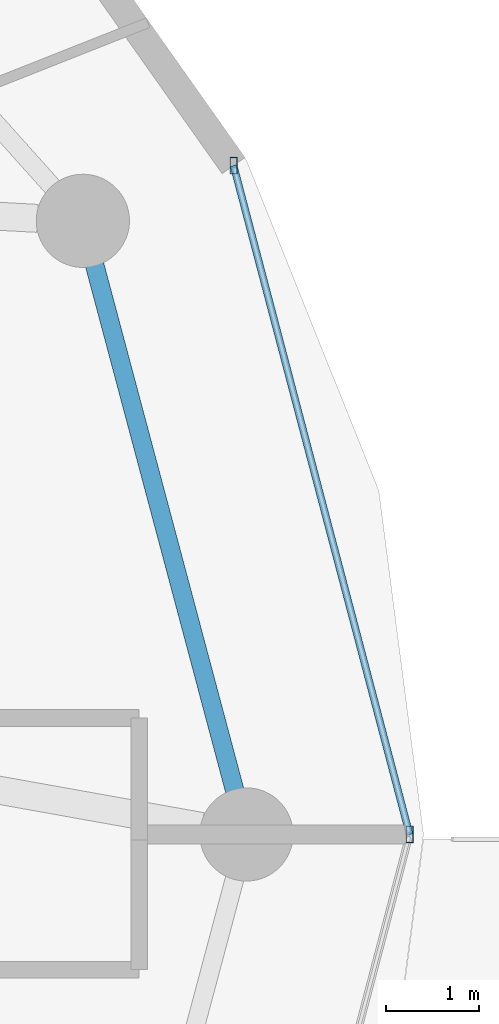
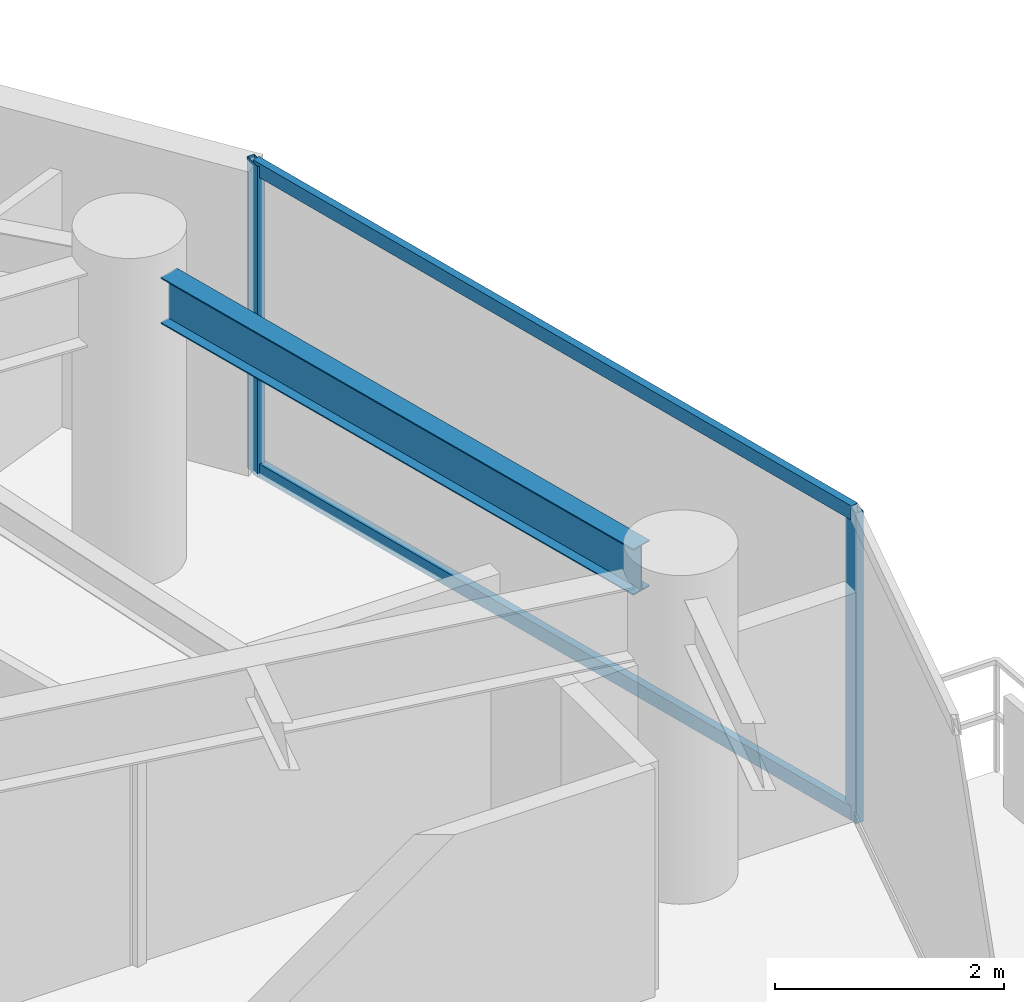
# One storey, part 16 of 31: 4 members, 1 beam, 1 element without a shape of its own.
"""IFC4 building model written with IfcOpenShell, lengths in metres."""

from ifc_helpers import new_model, si_unit, direction, frame, origin, origin_2d, place, context, subcontext, project, spatial, hollow_rectangle, i_section, extrude, material, material_profile, profile_set, type_object, element, aggregate, save


model = new_model("IFC4")

# Units and contexts
model_context = context("Model", 3, precision=1e-05, world=origin(), true_north=direction((0.0, 1.0)))
body_context = subcontext(model_context, "Body", "Model", "MODEL_VIEW")
ifc_project = project(units=[si_unit("LENGTHUNIT", "METRE"), si_unit("AREAUNIT", "SQUARE_METRE"), si_unit("VOLUMEUNIT", "CUBIC_METRE"), si_unit("PLANEANGLEUNIT", "RADIAN"), si_unit("MASSUNIT", "GRAM", prefix="KILO")], contexts=[model_context])

# Site, building, storey
site_placement = place(None, origin())
site = spatial("IfcSite", under=ifc_project, at=site_placement, CompositionType="ELEMENT")
building_placement = place(site_placement, origin())
building = spatial("IfcBuilding", under=site, at=building_placement, Name="Vorneva Point Tower", CompositionType="ELEMENT")
storey_placement = place(building_placement, frame((0.0, 0.0, 136.10009765625)))
storey = spatial("IfcBuildingStorey", under=building, at=storey_placement, Name="L36", CompositionType="ELEMENT", Elevation=136.10009765625)

# Beam
ifc_material_1 = material(Name="Steel S355", Category="steel")
ifc_material_profile_1 = material_profile(ifc_material_1, i_section(OverallWidth=0.199951171875, OverallDepth=0.491943359375, WebThickness=0.0087890625, FlangeThickness=0.011962890625, at=origin_2d()), Name="50B1")
ifc_profile_set_1 = profile_set([ifc_material_profile_1], Name="Steel S355")
beam_type = type_object("IfcBeamType", Name="BM-SPN-50B1", PredefinedType="SPANDREL", material=ifc_profile_set_1)
beam_placement = place(storey_placement, frame((60.925048828125, 26.468505859375, 2.993896484375), z_axis=(-0.257550804648, 0.966264758245, 0.0), x_axis=(-0.966264758245, -0.257550804648, 0.0)))
element("IfcBeam", 1, at=beam_placement, inside=storey, type_object=beam_type, Name="L36 Perimeter Spandrel Ring Beam 01", PredefinedType="SPANDREL", context=body_context, shape_type="SweptSolid", body=[
    extrude(i_section(OverallWidth=0.199951171875, OverallDepth=0.491943359375, WebThickness=0.0087890625, FlangeThickness=0.011962890625, at=origin_2d()), origin(), (0.0, 0.0, 1.0), 5.842041015625),
])

# Curtain wall, members
ifc_material_2 = material(Name="Pale anodised aluminium", Category="aluminium")
curtain_wall_type = type_object("IfcCurtainWallType", Name="CW-RES-SYS", PredefinedType="NOTDEFINED", material=ifc_material_2)
curtain_wall_placement = place(storey_placement, origin())
curtain_wall = element("IfcCurtainWall", 2, at=curtain_wall_placement, inside=storey, type_object=curtain_wall_type, Name="L36 Unitised Curtain Wall CW-L36-R01", PredefinedType="NOTDEFINED")
ifc_material_profile_2 = material_profile(ifc_material_2, hollow_rectangle(XDim=0.074951171875, YDim=0.179931640625, WallThickness=0.00390625, at=origin_2d()), Name="AL-MUL 180x75x4")
ifc_profile_set_2 = profile_set([ifc_material_profile_2], Name="Pale anodised aluminium")
member_type_1 = type_object("IfcMemberType", Name="CW-MUL-180", PredefinedType="MULLION", material=ifc_profile_set_2)
member_1_placement = place(storey_placement, frame((62.800048828125, 26.0, -0.0400390625), z_axis=(0.0, 0.0, 1.0), x_axis=(1.0, 0.0, 0.0)))
member_1 = element("IfcMember", 3, at=member_1_placement, type_object=member_type_1, Name="CW-L36-R01 Mullion 02", PredefinedType="MULLION", context=body_context, shape_type="SweptSolid", body=[
    extrude(hollow_rectangle(XDim=0.074951171875, YDim=0.179931640625, WallThickness=0.00390625, at=origin_2d()), origin(), (0.0, 0.0, 1.0), 3.31005859375),
])
member_2_placement = place(storey_placement, frame((60.912109375, 33.17529296875, -0.0400390625), z_axis=(0.0, 0.0, 1.0), x_axis=(1.0, 0.0, 0.0)))
member_2 = element("IfcMember", 4, at=member_2_placement, type_object=member_type_1, Name="CW-L36-R01 Mullion 03", PredefinedType="MULLION", context=body_context, shape_type="SweptSolid", body=[
    extrude(hollow_rectangle(XDim=0.074951171875, YDim=0.179931640625, WallThickness=0.00390625, at=origin_2d()), origin(), (0.0, 0.0, 1.0), 3.31005859375),
])
ifc_material_profile_3 = material_profile(ifc_material_2, hollow_rectangle(XDim=0.074951171875, YDim=0.14990234375, WallThickness=0.00390625, at=origin_2d()), Name="AL-TRN 150x75x4")
ifc_profile_set_3 = profile_set([ifc_material_profile_3], Name="Pale anodised aluminium")
member_type_2 = type_object("IfcMemberType", Name="CW-TRN-150", PredefinedType="USERDEFINED", material=ifc_profile_set_3)
member_3_placement = place(storey_placement, frame((62.800048828125, 26.0, 0.02001953125), z_axis=(-0.254456046293, 0.967084339913, 0.0), x_axis=(-0.967084339913, -0.254456046293, 0.0)))
member_3 = element("IfcMember", 5, at=member_3_placement, type_object=member_type_2, Name="CW-L36-R01 Transom 02.1", ObjectType="TRANSOM", PredefinedType="USERDEFINED", context=body_context, shape_type="SweptSolid", body=[
    extrude(hollow_rectangle(XDim=0.074951171875, YDim=0.14990234375, WallThickness=0.00390625, at=origin_2d()), origin(), (0.0, 0.0, 1.0), 7.41943359375),
])
member_4_placement = place(storey_placement, frame((62.800048828125, 26.0, 3.219970703125), z_axis=(-0.254456046293, 0.967084339913, 0.0), x_axis=(-0.967084339913, -0.254456046293, 0.0)))
member_4 = element("IfcMember", 6, at=member_4_placement, type_object=member_type_2, Name="CW-L36-R01 Transom 02.2", ObjectType="TRANSOM", PredefinedType="USERDEFINED", context=body_context, shape_type="SweptSolid", body=[
    extrude(hollow_rectangle(XDim=0.074951171875, YDim=0.14990234375, WallThickness=0.00390625, at=origin_2d()), origin(), (0.0, 0.0, 1.0), 7.41943359375),
])
aggregate(curtain_wall, [member_1, member_2, member_3, member_4])

save(model, "model.ifc")
